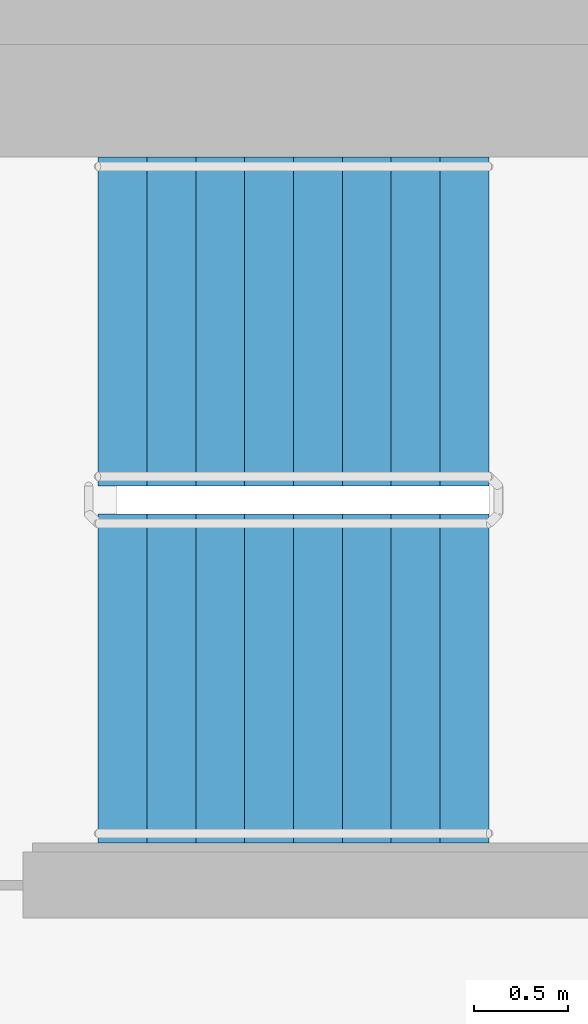
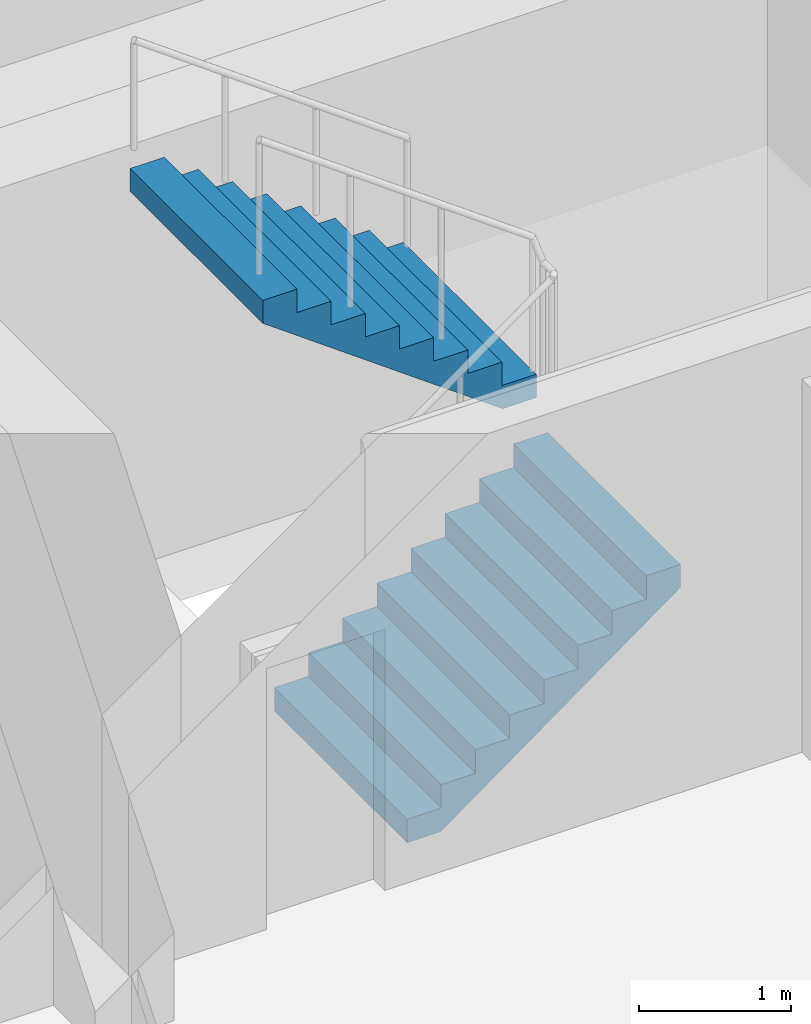
# One storey, part 13 of 18: 2 stair flights, 1 element without a shape of its own.
"""IFC4 building model written with IfcOpenShell, lengths in metres."""

from ifc_helpers import new_model, si_unit, direction, frame, origin, place, context, subcontext, project, spatial, faceted_brep, material, type_object, element, aggregate, save


model = new_model("IFC4")

# Units and contexts
model_context = context("Model", 3, precision=1e-05, world=origin(), true_north=direction((0.0, 1.0)))
body_context = subcontext(model_context, "Body", "Model", "MODEL_VIEW")
ifc_project = project(units=[si_unit("LENGTHUNIT", "METRE"), si_unit("AREAUNIT", "SQUARE_METRE"), si_unit("VOLUMEUNIT", "CUBIC_METRE"), si_unit("PLANEANGLEUNIT", "RADIAN"), si_unit("MASSUNIT", "GRAM", prefix="KILO")], contexts=[model_context])

# Site, building, storey
site_placement = place(None, origin())
site = spatial("IfcSite", under=ifc_project, at=site_placement, CompositionType="ELEMENT")
building_placement = place(site_placement, origin())
building = spatial("IfcBuilding", under=site, at=building_placement, Name="Ipe Terrace Towers", CompositionType="ELEMENT")
storey_placement = place(building_placement, frame((0.0, 0.0, 219.800048828125)))
storey = spatial("IfcBuildingStorey", under=building, at=storey_placement, Name="L61", CompositionType="ELEMENT", Elevation=219.800048828125)

# Stair, stair flights
ifc_material_1 = material(Name="Concrete C30/37", Category="concrete")
stair_type = type_object("IfcStairType", Name="Protected exit stair", PredefinedType="HALF_TURN_STAIR", material=ifc_material_1)
stair_placement = place(storey_placement, origin())
stair = element("IfcStair", 1, at=stair_placement, inside=storey, type_object=stair_type, Name="L61 Exit stair T1-C1", PredefinedType="HALF_TURN_STAIR")
ifc_material_2 = material(Name="Concrete C30/37", Category="concrete")
stair_flight_type = type_object("IfcStairFlightType", Name="Exit stair flight 1750", PredefinedType="STRAIGHT", material=ifc_material_2)
stair_flight_1_placement = place(storey_placement, frame((-26.300048828125, 2.77490234375, 0.0), z_axis=(0.0, 0.0, 1.0), x_axis=(1.0, 0.0, 0.0)))
stair_flight_1 = element("IfcStairFlight", 2, at=stair_flight_1_placement, type_object=stair_flight_type, Name="T1-ST1 flight 1", NumberOfRisers=9, NumberOfTreads=8, PredefinedType="STRAIGHT", RiserHeight=0.188888889, TreadLength=0.26, context=body_context, shape_type="Brep", body=[
    faceted_brep([(0.255126953125, -0.875, 0.0), (2.080078125, -0.875, 1.325927734375), (2.080078125, -0.875, 1.51123046875), (1.820068359375, -0.875, 1.51123046875), (1.820068359375, -0.875, 1.322265625), (1.56005859375, -0.875, 1.322265625), (1.56005859375, -0.875, 1.13330078125), (1.300048828125, -0.875, 1.13330078125), (1.300048828125, -0.875, 0.9443359375), (1.0400390625, -0.875, 0.9443359375), (1.0400390625, -0.875, 0.755615234375), (0.780029296875, -0.875, 0.755615234375), (0.780029296875, -0.875, 0.566650390625), (0.52001953125, -0.875, 0.566650390625), (0.52001953125, -0.875, 0.377685546875), (0.260009765625, -0.875, 0.377685546875), (0.260009765625, -0.875, 0.18896484375), (0.0, -0.875, 0.18896484375), (0.0, -0.875, 0.0), (0.0, 0.875, 0.0), (0.0, 0.875, 0.18896484375), (0.260009765625, 0.875, 0.18896484375), (0.260009765625, 0.875, 0.377685546875), (0.52001953125, 0.875, 0.377685546875), (0.52001953125, 0.875, 0.566650390625), (0.780029296875, 0.875, 0.566650390625), (0.780029296875, 0.875, 0.755615234375), (1.0400390625, 0.875, 0.755615234375), (1.0400390625, 0.875, 0.9443359375), (1.300048828125, 0.875, 0.9443359375), (1.300048828125, 0.875, 1.13330078125), (1.56005859375, 0.875, 1.13330078125), (1.56005859375, 0.875, 1.322265625), (1.820068359375, 0.875, 1.322265625), (1.820068359375, 0.875, 1.51123046875), (2.080078125, 0.875, 1.51123046875), (2.080078125, 0.875, 1.325927734375), (0.255126953125, 0.875, 0.0), (0.0, -0.300048828125, 0.18896484375), (0.0, -0.1201171875, 0.18896484375), (0.0, -0.06005859375, 0.18896484375), (0.0, -0.030029296875, 0.18896484375), (0.0, -0.010009765625, 0.18896484375), (0.0, 0.0, 0.18896484375), (0.0, 0.010009765625, 0.18896484375), (0.0, 0.030029296875, 0.18896484375), (0.0, 0.06005859375, 0.18896484375), (0.0, 0.1201171875, 0.18896484375), (0.0, 0.300048828125, 0.18896484375), (0.0, 0.300048828125, 0.0), (0.0, 0.1201171875, 0.0), (0.0, 0.06005859375, 0.0), (0.0, 0.030029296875, 0.0), (0.0, 0.010009765625, 0.0), (0.0, 0.0, 0.0), (0.0, -0.010009765625, 0.0), (0.0, -0.030029296875, 0.0), (0.0, -0.06005859375, 0.0), (0.0, -0.1201171875, 0.0), (0.0, -0.300048828125, 0.0), (0.260009765625, -0.300048828125, 0.18896484375), (0.260009765625, -0.1201171875, 0.18896484375), (0.260009765625, -0.06005859375, 0.18896484375), (0.260009765625, -0.030029296875, 0.18896484375), (0.260009765625, -0.010009765625, 0.18896484375), (0.260009765625, 0.0, 0.18896484375), (0.260009765625, 0.010009765625, 0.18896484375), (0.260009765625, 0.030029296875, 0.18896484375), (0.260009765625, 0.06005859375, 0.18896484375), (0.260009765625, 0.1201171875, 0.18896484375), (0.260009765625, 0.300048828125, 0.18896484375), (0.260009765625, -0.300048828125, 0.377685546875), (0.260009765625, -0.1201171875, 0.377685546875), (0.260009765625, -0.06005859375, 0.377685546875), (0.260009765625, -0.030029296875, 0.377685546875), (0.260009765625, -0.010009765625, 0.377685546875), (0.260009765625, 0.0, 0.377685546875), (0.260009765625, 0.010009765625, 0.377685546875), (0.260009765625, 0.030029296875, 0.377685546875), (0.260009765625, 0.06005859375, 0.377685546875), (0.260009765625, 0.1201171875, 0.377685546875), (0.260009765625, 0.300048828125, 0.377685546875), (0.52001953125, -0.300048828125, 0.377685546875), (0.52001953125, -0.1201171875, 0.377685546875), (0.52001953125, -0.06005859375, 0.377685546875), (0.52001953125, -0.030029296875, 0.377685546875), (0.52001953125, -0.010009765625, 0.377685546875), (0.52001953125, 0.0, 0.377685546875), (0.52001953125, 0.010009765625, 0.377685546875), (0.52001953125, 0.030029296875, 0.377685546875), (0.52001953125, 0.06005859375, 0.377685546875), (0.52001953125, 0.1201171875, 0.377685546875), (0.52001953125, 0.300048828125, 0.377685546875), (0.52001953125, -0.300048828125, 0.566650390625), (0.52001953125, -0.1201171875, 0.566650390625), (0.52001953125, -0.06005859375, 0.566650390625), (0.52001953125, -0.030029296875, 0.566650390625), (0.52001953125, -0.010009765625, 0.566650390625), (0.52001953125, 0.0, 0.566650390625), (0.52001953125, 0.010009765625, 0.566650390625), (0.52001953125, 0.030029296875, 0.566650390625), (0.52001953125, 0.06005859375, 0.566650390625), (0.52001953125, 0.1201171875, 0.566650390625), (0.52001953125, 0.300048828125, 0.566650390625), (0.780029296875, -0.300048828125, 0.566650390625), (0.780029296875, -0.1201171875, 0.566650390625), (0.780029296875, -0.06005859375, 0.566650390625), (0.780029296875, -0.030029296875, 0.566650390625), (0.780029296875, -0.010009765625, 0.566650390625), (0.780029296875, 0.0, 0.566650390625), (0.780029296875, 0.010009765625, 0.566650390625), (0.780029296875, 0.030029296875, 0.566650390625), (0.780029296875, 0.06005859375, 0.566650390625), (0.780029296875, 0.1201171875, 0.566650390625), (0.780029296875, 0.300048828125, 0.566650390625), (0.780029296875, -0.300048828125, 0.755615234375), (0.780029296875, -0.1201171875, 0.755615234375), (0.780029296875, -0.06005859375, 0.755615234375), (0.780029296875, -0.030029296875, 0.755615234375), (0.780029296875, -0.010009765625, 0.755615234375), (0.780029296875, 0.0, 0.755615234375), (0.780029296875, 0.010009765625, 0.755615234375), (0.780029296875, 0.030029296875, 0.755615234375), (0.780029296875, 0.06005859375, 0.755615234375), (0.780029296875, 0.1201171875, 0.755615234375), (0.780029296875, 0.300048828125, 0.755615234375), (1.0400390625, -0.300048828125, 0.755615234375), (1.0400390625, -0.1201171875, 0.755615234375), (1.0400390625, -0.06005859375, 0.755615234375), (1.0400390625, -0.030029296875, 0.755615234375), (1.0400390625, -0.010009765625, 0.755615234375), (1.0400390625, 0.0, 0.755615234375), (1.0400390625, 0.010009765625, 0.755615234375), (1.0400390625, 0.030029296875, 0.755615234375), (1.0400390625, 0.06005859375, 0.755615234375), (1.0400390625, 0.1201171875, 0.755615234375), (1.0400390625, 0.300048828125, 0.755615234375), (1.0400390625, -0.300048828125, 0.9443359375), (1.0400390625, -0.1201171875, 0.9443359375), (1.0400390625, -0.06005859375, 0.9443359375), (1.0400390625, -0.030029296875, 0.9443359375), (1.0400390625, -0.010009765625, 0.9443359375), (1.0400390625, 0.0, 0.9443359375), (1.0400390625, 0.010009765625, 0.9443359375), (1.0400390625, 0.030029296875, 0.9443359375), (1.0400390625, 0.06005859375, 0.9443359375), (1.0400390625, 0.1201171875, 0.9443359375), (1.0400390625, 0.300048828125, 0.9443359375), (1.300048828125, -0.300048828125, 0.9443359375), (1.300048828125, -0.1201171875, 0.9443359375), (1.300048828125, -0.06005859375, 0.9443359375), (1.300048828125, -0.030029296875, 0.9443359375), (1.300048828125, -0.010009765625, 0.9443359375), (1.300048828125, 0.0, 0.9443359375), (1.300048828125, 0.010009765625, 0.9443359375), (1.300048828125, 0.030029296875, 0.9443359375), (1.300048828125, 0.06005859375, 0.9443359375), (1.300048828125, 0.1201171875, 0.9443359375), (1.300048828125, 0.300048828125, 0.9443359375), (1.300048828125, -0.300048828125, 1.13330078125), (1.300048828125, -0.1201171875, 1.13330078125), (1.300048828125, -0.06005859375, 1.13330078125), (1.300048828125, -0.030029296875, 1.13330078125), (1.300048828125, -0.010009765625, 1.13330078125), (1.300048828125, 0.0, 1.13330078125), (1.300048828125, 0.010009765625, 1.13330078125), (1.300048828125, 0.030029296875, 1.13330078125), (1.300048828125, 0.06005859375, 1.13330078125), (1.300048828125, 0.1201171875, 1.13330078125), (1.300048828125, 0.300048828125, 1.13330078125), (1.56005859375, -0.300048828125, 1.13330078125), (1.56005859375, -0.1201171875, 1.13330078125), (1.56005859375, -0.06005859375, 1.13330078125), (1.56005859375, -0.030029296875, 1.13330078125), (1.56005859375, -0.010009765625, 1.13330078125), (1.56005859375, 0.0, 1.13330078125), (1.56005859375, 0.010009765625, 1.13330078125), (1.56005859375, 0.030029296875, 1.13330078125), (1.56005859375, 0.06005859375, 1.13330078125), (1.56005859375, 0.1201171875, 1.13330078125), (1.56005859375, 0.300048828125, 1.13330078125), (1.56005859375, -0.300048828125, 1.322265625), (1.56005859375, -0.1201171875, 1.322265625), (1.56005859375, -0.06005859375, 1.322265625), (1.56005859375, -0.030029296875, 1.322265625), (1.56005859375, -0.010009765625, 1.322265625), (1.56005859375, 0.0, 1.322265625), (1.56005859375, 0.010009765625, 1.322265625), (1.56005859375, 0.030029296875, 1.322265625), (1.56005859375, 0.06005859375, 1.322265625), (1.56005859375, 0.1201171875, 1.322265625), (1.56005859375, 0.300048828125, 1.322265625), (1.820068359375, -0.300048828125, 1.322265625), (1.820068359375, -0.1201171875, 1.322265625), (1.820068359375, -0.06005859375, 1.322265625), (1.820068359375, -0.030029296875, 1.322265625), (1.820068359375, -0.010009765625, 1.322265625), (1.820068359375, 0.0, 1.322265625), (1.820068359375, 0.010009765625, 1.322265625), (1.820068359375, 0.030029296875, 1.322265625), (1.820068359375, 0.06005859375, 1.322265625), (1.820068359375, 0.1201171875, 1.322265625), (1.820068359375, 0.300048828125, 1.322265625), (1.820068359375, -0.300048828125, 1.51123046875), (1.820068359375, -0.1201171875, 1.51123046875), (1.820068359375, -0.06005859375, 1.51123046875), (1.820068359375, -0.030029296875, 1.51123046875), (1.820068359375, -0.010009765625, 1.51123046875), (1.820068359375, 0.0, 1.51123046875), (1.820068359375, 0.010009765625, 1.51123046875), (1.820068359375, 0.030029296875, 1.51123046875), (1.820068359375, 0.06005859375, 1.51123046875), (1.820068359375, 0.1201171875, 1.51123046875), (1.820068359375, 0.300048828125, 1.51123046875), (2.080078125, -0.300048828125, 1.51123046875), (2.080078125, -0.1201171875, 1.51123046875), (2.080078125, -0.06005859375, 1.51123046875), (2.080078125, -0.030029296875, 1.51123046875), (2.080078125, -0.010009765625, 1.51123046875), (2.080078125, 0.0, 1.51123046875), (2.080078125, 0.010009765625, 1.51123046875), (2.080078125, 0.030029296875, 1.51123046875), (2.080078125, 0.06005859375, 1.51123046875), (2.080078125, 0.1201171875, 1.51123046875), (2.080078125, 0.300048828125, 1.51123046875), (2.080078125, -0.300048828125, 1.325927734375), (2.080078125, -0.1201171875, 1.325927734375), (2.080078125, -0.06005859375, 1.325927734375), (2.080078125, -0.030029296875, 1.325927734375), (2.080078125, -0.010009765625, 1.325927734375), (2.080078125, 0.0, 1.325927734375), (2.080078125, 0.010009765625, 1.325927734375), (2.080078125, 0.030029296875, 1.325927734375), (2.080078125, 0.06005859375, 1.325927734375), (2.080078125, 0.1201171875, 1.325927734375), (2.080078125, 0.300048828125, 1.325927734375), (0.255126953125, -0.300048828125, 0.0), (0.255126953125, -0.1201171875, 0.0), (0.255126953125, -0.06005859375, 0.0), (0.255126953125, -0.030029296875, 0.0), (0.255126953125, -0.010009765625, 0.0), (0.255126953125, 0.0, 0.0), (0.255126953125, 0.010009765625, 0.0), (0.255126953125, 0.030029296875, 0.0), (0.255126953125, 0.06005859375, 0.0), (0.255126953125, 0.1201171875, 0.0), (0.255126953125, 0.300048828125, 0.0)], [[[0, 1, 2, 3, 4, 5, 6, 7, 8, 9, 10, 11, 12, 13, 14, 15, 16, 17, 18]], [[19, 20, 21, 22, 23, 24, 25, 26, 27, 28, 29, 30, 31, 32, 33, 34, 35, 36, 37]], [[17, 38, 39, 40, 41, 42, 43, 44, 45, 46, 47, 48, 20, 19, 49, 50, 51, 52, 53, 54, 55, 56, 57, 58, 59, 18]], [[16, 60, 61, 62, 63, 64, 65, 66, 67, 68, 69, 70, 21, 20, 48, 47, 46, 45, 44, 43, 42, 41, 40, 39, 38, 17]], [[15, 71, 72, 73, 74, 75, 76, 77, 78, 79, 80, 81, 22, 21, 70, 69, 68, 67, 66, 65, 64, 63, 62, 61, 60, 16]], [[14, 82, 83, 84, 85, 86, 87, 88, 89, 90, 91, 92, 23, 22, 81, 80, 79, 78, 77, 76, 75, 74, 73, 72, 71, 15]], [[13, 93, 94, 95, 96, 97, 98, 99, 100, 101, 102, 103, 24, 23, 92, 91, 90, 89, 88, 87, 86, 85, 84, 83, 82, 14]], [[12, 104, 105, 106, 107, 108, 109, 110, 111, 112, 113, 114, 25, 24, 103, 102, 101, 100, 99, 98, 97, 96, 95, 94, 93, 13]], [[11, 115, 116, 117, 118, 119, 120, 121, 122, 123, 124, 125, 26, 25, 114, 113, 112, 111, 110, 109, 108, 107, 106, 105, 104, 12]], [[10, 126, 127, 128, 129, 130, 131, 132, 133, 134, 135, 136, 27, 26, 125, 124, 123, 122, 121, 120, 119, 118, 117, 116, 115, 11]], [[9, 137, 138, 139, 140, 141, 142, 143, 144, 145, 146, 147, 28, 27, 136, 135, 134, 133, 132, 131, 130, 129, 128, 127, 126, 10]], [[8, 148, 149, 150, 151, 152, 153, 154, 155, 156, 157, 158, 29, 28, 147, 146, 145, 144, 143, 142, 141, 140, 139, 138, 137, 9]], [[7, 159, 160, 161, 162, 163, 164, 165, 166, 167, 168, 169, 30, 29, 158, 157, 156, 155, 154, 153, 152, 151, 150, 149, 148, 8]], [[6, 170, 171, 172, 173, 174, 175, 176, 177, 178, 179, 180, 31, 30, 169, 168, 167, 166, 165, 164, 163, 162, 161, 160, 159, 7]], [[5, 181, 182, 183, 184, 185, 186, 187, 188, 189, 190, 191, 32, 31, 180, 179, 178, 177, 176, 175, 174, 173, 172, 171, 170, 6]], [[4, 192, 193, 194, 195, 196, 197, 198, 199, 200, 201, 202, 33, 32, 191, 190, 189, 188, 187, 186, 185, 184, 183, 182, 181, 5]], [[3, 203, 204, 205, 206, 207, 208, 209, 210, 211, 212, 213, 34, 33, 202, 201, 200, 199, 198, 197, 196, 195, 194, 193, 192, 4]], [[2, 214, 215, 216, 217, 218, 219, 220, 221, 222, 223, 224, 35, 34, 213, 212, 211, 210, 209, 208, 207, 206, 205, 204, 203, 3]], [[1, 225, 226, 227, 228, 229, 230, 231, 232, 233, 234, 235, 36, 35, 224, 223, 222, 221, 220, 219, 218, 217, 216, 215, 214, 2]], [[0, 236, 237, 238, 239, 240, 241, 242, 243, 244, 245, 246, 37, 36, 235, 234, 233, 232, 231, 230, 229, 228, 227, 226, 225, 1]], [[18, 59, 58, 57, 56, 55, 54, 53, 52, 51, 50, 49, 19, 37, 246, 245, 244, 243, 242, 241, 240, 239, 238, 237, 236, 0]]]),
])
stair_flight_2_placement = place(storey_placement, frame((-24.219970703125, 4.675048828125, 1.699951171875), z_axis=(0.0, 0.0, 1.0), x_axis=(-1.0, 0.0, 0.0)))
stair_flight_2 = element("IfcStairFlight", 3, at=stair_flight_2_placement, type_object=stair_flight_type, Name="T1-ST1 flight 2", NumberOfRisers=9, NumberOfTreads=8, PredefinedType="STRAIGHT", RiserHeight=0.188888889, TreadLength=0.26, context=body_context, shape_type="Brep", body=[
    faceted_brep([(0.255126953125, -0.875, 0.0), (2.080078125, -0.875, 1.325927734375), (2.080078125, -0.875, 1.51123046875), (1.820068359375, -0.875, 1.51123046875), (1.820068359375, -0.875, 1.322265625), (1.56005859375, -0.875, 1.322265625), (1.56005859375, -0.875, 1.13330078125), (1.300048828125, -0.875, 1.13330078125), (1.300048828125, -0.875, 0.9443359375), (1.0400390625, -0.875, 0.9443359375), (1.0400390625, -0.875, 0.755615234375), (0.780029296875, -0.875, 0.755615234375), (0.780029296875, -0.875, 0.566650390625), (0.52001953125, -0.875, 0.566650390625), (0.52001953125, -0.875, 0.377685546875), (0.260009765625, -0.875, 0.377685546875), (0.260009765625, -0.875, 0.18896484375), (0.0, -0.875, 0.18896484375), (0.0, -0.875, 0.0), (0.0, 0.875, 0.0), (0.0, 0.875, 0.18896484375), (0.260009765625, 0.875, 0.18896484375), (0.260009765625, 0.875, 0.377685546875), (0.52001953125, 0.875, 0.377685546875), (0.52001953125, 0.875, 0.566650390625), (0.780029296875, 0.875, 0.566650390625), (0.780029296875, 0.875, 0.755615234375), (1.0400390625, 0.875, 0.755615234375), (1.0400390625, 0.875, 0.9443359375), (1.300048828125, 0.875, 0.9443359375), (1.300048828125, 0.875, 1.13330078125), (1.56005859375, 0.875, 1.13330078125), (1.56005859375, 0.875, 1.322265625), (1.820068359375, 0.875, 1.322265625), (1.820068359375, 0.875, 1.51123046875), (2.080078125, 0.875, 1.51123046875), (2.080078125, 0.875, 1.325927734375), (0.255126953125, 0.875, 0.0), (0.0, -0.300048828125, 0.18896484375), (0.0, -0.1201171875, 0.18896484375), (0.0, -0.06005859375, 0.18896484375), (0.0, -0.030029296875, 0.18896484375), (0.0, -0.010009765625, 0.18896484375), (0.0, 0.0, 0.18896484375), (0.0, 0.010009765625, 0.18896484375), (0.0, 0.030029296875, 0.18896484375), (0.0, 0.06005859375, 0.18896484375), (0.0, 0.1201171875, 0.18896484375), (0.0, 0.300048828125, 0.18896484375), (0.0, 0.300048828125, 0.0), (0.0, 0.1201171875, 0.0), (0.0, 0.06005859375, 0.0), (0.0, 0.030029296875, 0.0), (0.0, 0.010009765625, 0.0), (0.0, 0.0, 0.0), (0.0, -0.010009765625, 0.0), (0.0, -0.030029296875, 0.0), (0.0, -0.06005859375, 0.0), (0.0, -0.1201171875, 0.0), (0.0, -0.300048828125, 0.0), (0.260009765625, -0.300048828125, 0.18896484375), (0.260009765625, -0.1201171875, 0.18896484375), (0.260009765625, -0.06005859375, 0.18896484375), (0.260009765625, -0.030029296875, 0.18896484375), (0.260009765625, -0.010009765625, 0.18896484375), (0.260009765625, 0.0, 0.18896484375), (0.260009765625, 0.010009765625, 0.18896484375), (0.260009765625, 0.030029296875, 0.18896484375), (0.260009765625, 0.06005859375, 0.18896484375), (0.260009765625, 0.1201171875, 0.18896484375), (0.260009765625, 0.300048828125, 0.18896484375), (0.260009765625, -0.300048828125, 0.377685546875), (0.260009765625, -0.1201171875, 0.377685546875), (0.260009765625, -0.06005859375, 0.377685546875), (0.260009765625, -0.030029296875, 0.377685546875), (0.260009765625, -0.010009765625, 0.377685546875), (0.260009765625, 0.0, 0.377685546875), (0.260009765625, 0.010009765625, 0.377685546875), (0.260009765625, 0.030029296875, 0.377685546875), (0.260009765625, 0.06005859375, 0.377685546875), (0.260009765625, 0.1201171875, 0.377685546875), (0.260009765625, 0.300048828125, 0.377685546875), (0.52001953125, -0.300048828125, 0.377685546875), (0.52001953125, -0.1201171875, 0.377685546875), (0.52001953125, -0.06005859375, 0.377685546875), (0.52001953125, -0.030029296875, 0.377685546875), (0.52001953125, -0.010009765625, 0.377685546875), (0.52001953125, 0.0, 0.377685546875), (0.52001953125, 0.010009765625, 0.377685546875), (0.52001953125, 0.030029296875, 0.377685546875), (0.52001953125, 0.06005859375, 0.377685546875), (0.52001953125, 0.1201171875, 0.377685546875), (0.52001953125, 0.300048828125, 0.377685546875), (0.52001953125, -0.300048828125, 0.566650390625), (0.52001953125, -0.1201171875, 0.566650390625), (0.52001953125, -0.06005859375, 0.566650390625), (0.52001953125, -0.030029296875, 0.566650390625), (0.52001953125, -0.010009765625, 0.566650390625), (0.52001953125, 0.0, 0.566650390625), (0.52001953125, 0.010009765625, 0.566650390625), (0.52001953125, 0.030029296875, 0.566650390625), (0.52001953125, 0.06005859375, 0.566650390625), (0.52001953125, 0.1201171875, 0.566650390625), (0.52001953125, 0.300048828125, 0.566650390625), (0.780029296875, -0.300048828125, 0.566650390625), (0.780029296875, -0.1201171875, 0.566650390625), (0.780029296875, -0.06005859375, 0.566650390625), (0.780029296875, -0.030029296875, 0.566650390625), (0.780029296875, -0.010009765625, 0.566650390625), (0.780029296875, 0.0, 0.566650390625), (0.780029296875, 0.010009765625, 0.566650390625), (0.780029296875, 0.030029296875, 0.566650390625), (0.780029296875, 0.06005859375, 0.566650390625), (0.780029296875, 0.1201171875, 0.566650390625), (0.780029296875, 0.300048828125, 0.566650390625), (0.780029296875, -0.300048828125, 0.755615234375), (0.780029296875, -0.1201171875, 0.755615234375), (0.780029296875, -0.06005859375, 0.755615234375), (0.780029296875, -0.030029296875, 0.755615234375), (0.780029296875, -0.010009765625, 0.755615234375), (0.780029296875, 0.0, 0.755615234375), (0.780029296875, 0.010009765625, 0.755615234375), (0.780029296875, 0.030029296875, 0.755615234375), (0.780029296875, 0.06005859375, 0.755615234375), (0.780029296875, 0.1201171875, 0.755615234375), (0.780029296875, 0.300048828125, 0.755615234375), (1.0400390625, -0.300048828125, 0.755615234375), (1.0400390625, -0.1201171875, 0.755615234375), (1.0400390625, -0.06005859375, 0.755615234375), (1.0400390625, -0.030029296875, 0.755615234375), (1.0400390625, -0.010009765625, 0.755615234375), (1.0400390625, 0.0, 0.755615234375), (1.0400390625, 0.010009765625, 0.755615234375), (1.0400390625, 0.030029296875, 0.755615234375), (1.0400390625, 0.06005859375, 0.755615234375), (1.0400390625, 0.1201171875, 0.755615234375), (1.0400390625, 0.300048828125, 0.755615234375), (1.0400390625, -0.300048828125, 0.9443359375), (1.0400390625, -0.1201171875, 0.9443359375), (1.0400390625, -0.06005859375, 0.9443359375), (1.0400390625, -0.030029296875, 0.9443359375), (1.0400390625, -0.010009765625, 0.9443359375), (1.0400390625, 0.0, 0.9443359375), (1.0400390625, 0.010009765625, 0.9443359375), (1.0400390625, 0.030029296875, 0.9443359375), (1.0400390625, 0.06005859375, 0.9443359375), (1.0400390625, 0.1201171875, 0.9443359375), (1.0400390625, 0.300048828125, 0.9443359375), (1.300048828125, -0.300048828125, 0.9443359375), (1.300048828125, -0.1201171875, 0.9443359375), (1.300048828125, -0.06005859375, 0.9443359375), (1.300048828125, -0.030029296875, 0.9443359375), (1.300048828125, -0.010009765625, 0.9443359375), (1.300048828125, 0.0, 0.9443359375), (1.300048828125, 0.010009765625, 0.9443359375), (1.300048828125, 0.030029296875, 0.9443359375), (1.300048828125, 0.06005859375, 0.9443359375), (1.300048828125, 0.1201171875, 0.9443359375), (1.300048828125, 0.300048828125, 0.9443359375), (1.300048828125, -0.300048828125, 1.13330078125), (1.300048828125, -0.1201171875, 1.13330078125), (1.300048828125, -0.06005859375, 1.13330078125), (1.300048828125, -0.030029296875, 1.13330078125), (1.300048828125, -0.010009765625, 1.13330078125), (1.300048828125, 0.0, 1.13330078125), (1.300048828125, 0.010009765625, 1.13330078125), (1.300048828125, 0.030029296875, 1.13330078125), (1.300048828125, 0.06005859375, 1.13330078125), (1.300048828125, 0.1201171875, 1.13330078125), (1.300048828125, 0.300048828125, 1.13330078125), (1.56005859375, -0.300048828125, 1.13330078125), (1.56005859375, -0.1201171875, 1.13330078125), (1.56005859375, -0.06005859375, 1.13330078125), (1.56005859375, -0.030029296875, 1.13330078125), (1.56005859375, -0.010009765625, 1.13330078125), (1.56005859375, 0.0, 1.13330078125), (1.56005859375, 0.010009765625, 1.13330078125), (1.56005859375, 0.030029296875, 1.13330078125), (1.56005859375, 0.06005859375, 1.13330078125), (1.56005859375, 0.1201171875, 1.13330078125), (1.56005859375, 0.300048828125, 1.13330078125), (1.56005859375, -0.300048828125, 1.322265625), (1.56005859375, -0.1201171875, 1.322265625), (1.56005859375, -0.06005859375, 1.322265625), (1.56005859375, -0.030029296875, 1.322265625), (1.56005859375, -0.010009765625, 1.322265625), (1.56005859375, 0.0, 1.322265625), (1.56005859375, 0.010009765625, 1.322265625), (1.56005859375, 0.030029296875, 1.322265625), (1.56005859375, 0.06005859375, 1.322265625), (1.56005859375, 0.1201171875, 1.322265625), (1.56005859375, 0.300048828125, 1.322265625), (1.820068359375, -0.300048828125, 1.322265625), (1.820068359375, -0.1201171875, 1.322265625), (1.820068359375, -0.06005859375, 1.322265625), (1.820068359375, -0.030029296875, 1.322265625), (1.820068359375, -0.010009765625, 1.322265625), (1.820068359375, 0.0, 1.322265625), (1.820068359375, 0.010009765625, 1.322265625), (1.820068359375, 0.030029296875, 1.322265625), (1.820068359375, 0.06005859375, 1.322265625), (1.820068359375, 0.1201171875, 1.322265625), (1.820068359375, 0.300048828125, 1.322265625), (1.820068359375, -0.300048828125, 1.51123046875), (1.820068359375, -0.1201171875, 1.51123046875), (1.820068359375, -0.06005859375, 1.51123046875), (1.820068359375, -0.030029296875, 1.51123046875), (1.820068359375, -0.010009765625, 1.51123046875), (1.820068359375, 0.0, 1.51123046875), (1.820068359375, 0.010009765625, 1.51123046875), (1.820068359375, 0.030029296875, 1.51123046875), (1.820068359375, 0.06005859375, 1.51123046875), (1.820068359375, 0.1201171875, 1.51123046875), (1.820068359375, 0.300048828125, 1.51123046875), (2.080078125, -0.300048828125, 1.51123046875), (2.080078125, -0.1201171875, 1.51123046875), (2.080078125, -0.06005859375, 1.51123046875), (2.080078125, -0.030029296875, 1.51123046875), (2.080078125, -0.010009765625, 1.51123046875), (2.080078125, 0.0, 1.51123046875), (2.080078125, 0.010009765625, 1.51123046875), (2.080078125, 0.030029296875, 1.51123046875), (2.080078125, 0.06005859375, 1.51123046875), (2.080078125, 0.1201171875, 1.51123046875), (2.080078125, 0.300048828125, 1.51123046875), (2.080078125, -0.300048828125, 1.325927734375), (2.080078125, -0.1201171875, 1.325927734375), (2.080078125, -0.06005859375, 1.325927734375), (2.080078125, -0.030029296875, 1.325927734375), (2.080078125, -0.010009765625, 1.325927734375), (2.080078125, 0.0, 1.325927734375), (2.080078125, 0.010009765625, 1.325927734375), (2.080078125, 0.030029296875, 1.325927734375), (2.080078125, 0.06005859375, 1.325927734375), (2.080078125, 0.1201171875, 1.325927734375), (2.080078125, 0.300048828125, 1.325927734375), (0.255126953125, -0.300048828125, 0.0), (0.255126953125, -0.1201171875, 0.0), (0.255126953125, -0.06005859375, 0.0), (0.255126953125, -0.030029296875, 0.0), (0.255126953125, -0.010009765625, 0.0), (0.255126953125, 0.0, 0.0), (0.255126953125, 0.010009765625, 0.0), (0.255126953125, 0.030029296875, 0.0), (0.255126953125, 0.06005859375, 0.0), (0.255126953125, 0.1201171875, 0.0), (0.255126953125, 0.300048828125, 0.0)], [[[0, 1, 2, 3, 4, 5, 6, 7, 8, 9, 10, 11, 12, 13, 14, 15, 16, 17, 18]], [[19, 20, 21, 22, 23, 24, 25, 26, 27, 28, 29, 30, 31, 32, 33, 34, 35, 36, 37]], [[17, 38, 39, 40, 41, 42, 43, 44, 45, 46, 47, 48, 20, 19, 49, 50, 51, 52, 53, 54, 55, 56, 57, 58, 59, 18]], [[16, 60, 61, 62, 63, 64, 65, 66, 67, 68, 69, 70, 21, 20, 48, 47, 46, 45, 44, 43, 42, 41, 40, 39, 38, 17]], [[15, 71, 72, 73, 74, 75, 76, 77, 78, 79, 80, 81, 22, 21, 70, 69, 68, 67, 66, 65, 64, 63, 62, 61, 60, 16]], [[14, 82, 83, 84, 85, 86, 87, 88, 89, 90, 91, 92, 23, 22, 81, 80, 79, 78, 77, 76, 75, 74, 73, 72, 71, 15]], [[13, 93, 94, 95, 96, 97, 98, 99, 100, 101, 102, 103, 24, 23, 92, 91, 90, 89, 88, 87, 86, 85, 84, 83, 82, 14]], [[12, 104, 105, 106, 107, 108, 109, 110, 111, 112, 113, 114, 25, 24, 103, 102, 101, 100, 99, 98, 97, 96, 95, 94, 93, 13]], [[11, 115, 116, 117, 118, 119, 120, 121, 122, 123, 124, 125, 26, 25, 114, 113, 112, 111, 110, 109, 108, 107, 106, 105, 104, 12]], [[10, 126, 127, 128, 129, 130, 131, 132, 133, 134, 135, 136, 27, 26, 125, 124, 123, 122, 121, 120, 119, 118, 117, 116, 115, 11]], [[9, 137, 138, 139, 140, 141, 142, 143, 144, 145, 146, 147, 28, 27, 136, 135, 134, 133, 132, 131, 130, 129, 128, 127, 126, 10]], [[8, 148, 149, 150, 151, 152, 153, 154, 155, 156, 157, 158, 29, 28, 147, 146, 145, 144, 143, 142, 141, 140, 139, 138, 137, 9]], [[7, 159, 160, 161, 162, 163, 164, 165, 166, 167, 168, 169, 30, 29, 158, 157, 156, 155, 154, 153, 152, 151, 150, 149, 148, 8]], [[6, 170, 171, 172, 173, 174, 175, 176, 177, 178, 179, 180, 31, 30, 169, 168, 167, 166, 165, 164, 163, 162, 161, 160, 159, 7]], [[5, 181, 182, 183, 184, 185, 186, 187, 188, 189, 190, 191, 32, 31, 180, 179, 178, 177, 176, 175, 174, 173, 172, 171, 170, 6]], [[4, 192, 193, 194, 195, 196, 197, 198, 199, 200, 201, 202, 33, 32, 191, 190, 189, 188, 187, 186, 185, 184, 183, 182, 181, 5]], [[3, 203, 204, 205, 206, 207, 208, 209, 210, 211, 212, 213, 34, 33, 202, 201, 200, 199, 198, 197, 196, 195, 194, 193, 192, 4]], [[2, 214, 215, 216, 217, 218, 219, 220, 221, 222, 223, 224, 35, 34, 213, 212, 211, 210, 209, 208, 207, 206, 205, 204, 203, 3]], [[1, 225, 226, 227, 228, 229, 230, 231, 232, 233, 234, 235, 36, 35, 224, 223, 222, 221, 220, 219, 218, 217, 216, 215, 214, 2]], [[0, 236, 237, 238, 239, 240, 241, 242, 243, 244, 245, 246, 37, 36, 235, 234, 233, 232, 231, 230, 229, 228, 227, 226, 225, 1]], [[18, 59, 58, 57, 56, 55, 54, 53, 52, 51, 50, 49, 19, 37, 246, 245, 244, 243, 242, 241, 240, 239, 238, 237, 236, 0]]]),
])
aggregate(stair, [stair_flight_1, stair_flight_2])

save(model, "model.ifc")
